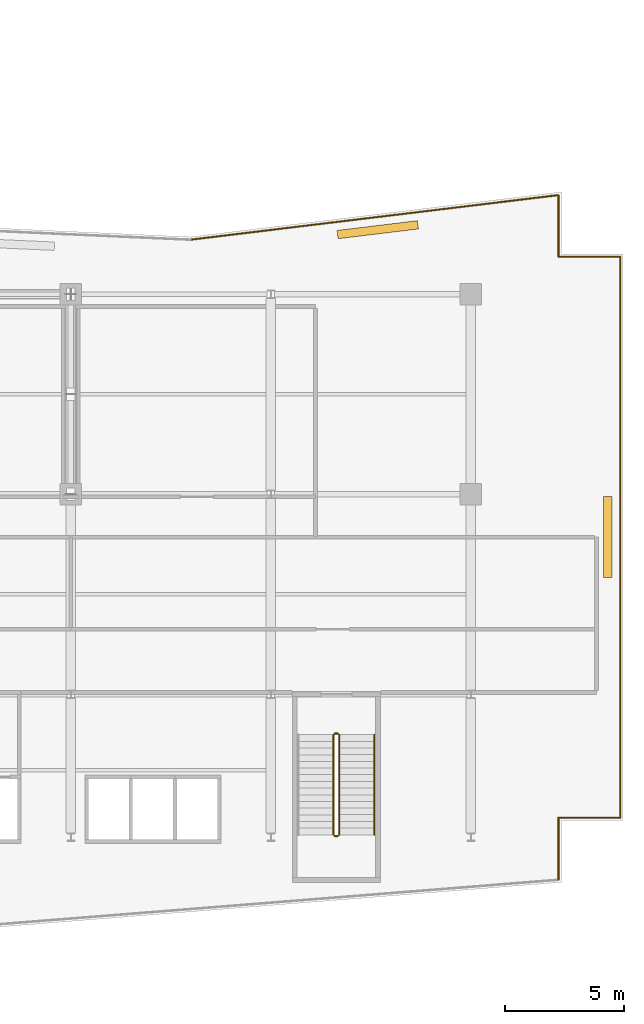
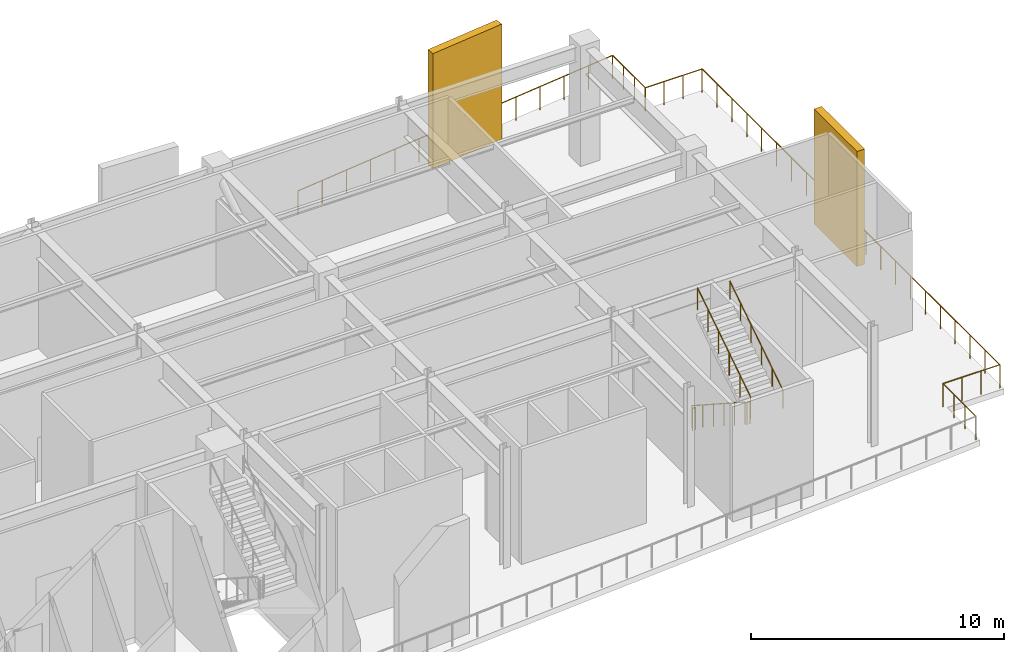
# One storey, part 13 of 14: 11 railings, 2 shading devices.
"""IFC4 building model written with IfcOpenShell, lengths in metres."""

from ifc_helpers import new_model, si_unit, direction, frame, origin, origin_2d, place, context, subcontext, project, spatial, rectangle, circle, extrude, material, layer, layer_set, type_object, element, save


model = new_model("IFC4")

# Units and contexts
model_context = context("Model", 3, precision=1e-05, world=origin(), true_north=direction((0.0, 1.0)))
body_context = subcontext(model_context, "Body", "Model", "MODEL_VIEW")
ifc_project = project(units=[si_unit("LENGTHUNIT", "METRE"), si_unit("AREAUNIT", "SQUARE_METRE"), si_unit("VOLUMEUNIT", "CUBIC_METRE"), si_unit("PLANEANGLEUNIT", "RADIAN"), si_unit("MASSUNIT", "GRAM", prefix="KILO")], contexts=[model_context])

# Site, building, storey
site_placement = place(None, origin())
site = spatial("IfcSite", under=ifc_project, at=site_placement, CompositionType="ELEMENT")
building_placement = place(site_placement, origin())
building = spatial("IfcBuilding", under=site, at=building_placement, Name="Varnakote Quay Hospital", CompositionType="ELEMENT")
storey_placement = place(building_placement, frame((0.0, 0.0, 97.550048828125)))
storey = spatial("IfcBuildingStorey", under=building, at=storey_placement, Name="L24", CompositionType="ELEMENT", Elevation=97.550048828125)

# Railings
ifc_material_1 = material(Name="Anodised aluminium 6063-T6 Bronze", Category="aluminium")
railing_type_1 = type_object("IfcRailingType", Name="RLG-EXT-GUARD-1150", PredefinedType="GUARDRAIL", material=ifc_material_1)
railing_1_placement = place(storey_placement, frame((38.628662109375, 31.091796875, 0.0)))
element("IfcRailing", 1, at=railing_1_placement, inside=storey, type_object=railing_type_1, Name="L24 Open Wind-Damping Deck Perimeter Safety Guard", PredefinedType="GUARDRAIL", context=body_context, shape_type="SweptSolid", body=[
    extrude(circle(Radius=0.02392578125, at=origin_2d()), frame((0.0, 0.0, 1.1259765625), z_axis=(0.992734520167, 0.120325277761, 0.0), x_axis=(-0.120325277761, 0.992734520167, 0.0)), (0.0, 0.0, 1.0), 15.564453125),
    extrude(circle(Radius=0.02099609375, at=origin_2d()), origin(), (0.0, 0.0, 1.0), 1.101806640625),
    extrude(circle(Radius=0.02099609375, at=origin_2d()), frame((1.1884765625, 0.14404296875, 0.0)), (0.0, 0.0, 1.0), 1.101806640625),
    extrude(circle(Radius=0.02099609375, at=origin_2d()), frame((2.377197265625, 0.2880859375, 0.0)), (0.0, 0.0, 1.0), 1.101806640625),
    extrude(circle(Radius=0.02099609375, at=origin_2d()), frame((3.565673828125, 0.43212890625, 0.0)), (0.0, 0.0, 1.0), 1.101806640625),
    extrude(circle(Radius=0.02099609375, at=origin_2d()), frame((4.75439453125, 0.576171875, 0.0)), (0.0, 0.0, 1.0), 1.101806640625),
    extrude(circle(Radius=0.02099609375, at=origin_2d()), frame((5.94287109375, 0.72021484375, 0.0)), (0.0, 0.0, 1.0), 1.101806640625),
    extrude(circle(Radius=0.02099609375, at=origin_2d()), frame((7.13134765625, 0.8642578125, 0.0)), (0.0, 0.0, 1.0), 1.101806640625),
    extrude(circle(Radius=0.02099609375, at=origin_2d()), frame((8.320068359375, 1.008544921875, 0.0)), (0.0, 0.0, 1.0), 1.101806640625),
    extrude(circle(Radius=0.02099609375, at=origin_2d()), frame((9.508544921875, 1.152587890625, 0.0)), (0.0, 0.0, 1.0), 1.101806640625),
    extrude(circle(Radius=0.02099609375, at=origin_2d()), frame((10.697021484375, 1.296630859375, 0.0)), (0.0, 0.0, 1.0), 1.101806640625),
    extrude(circle(Radius=0.02099609375, at=origin_2d()), frame((11.8857421875, 1.440673828125, 0.0)), (0.0, 0.0, 1.0), 1.101806640625),
    extrude(circle(Radius=0.02099609375, at=origin_2d()), frame((13.07421875, 1.584716796875, 0.0)), (0.0, 0.0, 1.0), 1.101806640625),
    extrude(circle(Radius=0.02099609375, at=origin_2d()), frame((14.262939453125, 1.728759765625, 0.0)), (0.0, 0.0, 1.0), 1.101806640625),
    extrude(circle(Radius=0.02099609375, at=origin_2d()), frame((15.451416015625, 1.872802734375, 0.0)), (0.0, 0.0, 1.0), 1.101806640625),
])
railing_2_placement = place(storey_placement, frame((54.080078125, 32.964599609375, 0.0)))
element("IfcRailing", 2, at=railing_2_placement, inside=storey, type_object=railing_type_1, Name="L24 Open Wind-Damping Deck Perimeter Safety Guard", PredefinedType="GUARDRAIL", context=body_context, shape_type="SweptSolid", body=[
    extrude(circle(Radius=0.02392578125, at=origin_2d()), frame((0.0, 0.0, 1.1259765625), z_axis=(0.0, -1.0, 0.0), x_axis=(1.0, 0.0, 0.0)), (0.0, 0.0, 1.0), 2.584716796875),
    extrude(circle(Radius=0.02099609375, at=origin_2d()), origin(), (0.0, 0.0, 1.0), 1.101806640625),
    extrude(circle(Radius=0.02099609375, at=origin_2d()), frame((0.0, -0.861572265625, 0.0)), (0.0, 0.0, 1.0), 1.101806640625),
    extrude(circle(Radius=0.02099609375, at=origin_2d()), frame((0.0, -1.72314453125, 0.0)), (0.0, 0.0, 1.0), 1.101806640625),
    extrude(circle(Radius=0.02099609375, at=origin_2d()), frame((0.0, -2.584716796875, 0.0)), (0.0, 0.0, 1.0), 1.101806640625),
])
railing_3_placement = place(storey_placement, frame((54.080078125, 30.3798828125, 0.0)))
element("IfcRailing", 3, at=railing_3_placement, inside=storey, type_object=railing_type_1, Name="L24 Open Wind-Damping Deck Perimeter Safety Guard", PredefinedType="GUARDRAIL", context=body_context, shape_type="SweptSolid", body=[
    extrude(circle(Radius=0.02392578125, at=origin_2d()), frame((0.0, 0.0, 1.1259765625), z_axis=(1.0, 0.0, 0.0), x_axis=(0.0, 1.0, 0.0)), (0.0, 0.0, 1.0), 2.599853515625),
    extrude(circle(Radius=0.02099609375, at=origin_2d()), origin(), (0.0, 0.0, 1.0), 1.101806640625),
    extrude(circle(Radius=0.02099609375, at=origin_2d()), frame((0.86669921875, 0.0, 0.0)), (0.0, 0.0, 1.0), 1.101806640625),
    extrude(circle(Radius=0.02099609375, at=origin_2d()), frame((1.733154296875, 0.0, 0.0)), (0.0, 0.0, 1.0), 1.101806640625),
    extrude(circle(Radius=0.02099609375, at=origin_2d()), frame((2.599853515625, 0.0, 0.0)), (0.0, 0.0, 1.0), 1.101806640625),
])
railing_4_placement = place(storey_placement, frame((56.679931640625, 30.3798828125, 0.0)))
element("IfcRailing", 4, at=railing_4_placement, inside=storey, type_object=railing_type_1, Name="L24 Open Wind-Damping Deck Perimeter Safety Guard", PredefinedType="GUARDRAIL", context=body_context, shape_type="SweptSolid", body=[
    extrude(circle(Radius=0.02392578125, at=origin_2d()), frame((0.0, 0.0, 1.1259765625), z_axis=(0.0, -1.0, 0.0), x_axis=(1.0, 0.0, 0.0)), (0.0, 0.0, 1.0), 23.559814453125),
    extrude(circle(Radius=0.02099609375, at=origin_2d()), origin(), (0.0, 0.0, 1.0), 1.101806640625),
    extrude(circle(Radius=0.02099609375, at=origin_2d()), frame((0.0, -1.177978515625, 0.0)), (0.0, 0.0, 1.0), 1.101806640625),
    extrude(circle(Radius=0.02099609375, at=origin_2d()), frame((0.0, -2.35595703125, 0.0)), (0.0, 0.0, 1.0), 1.101806640625),
    extrude(circle(Radius=0.02099609375, at=origin_2d()), frame((0.0, -3.533935546875, 0.0)), (0.0, 0.0, 1.0), 1.101806640625),
    extrude(circle(Radius=0.02099609375, at=origin_2d()), frame((0.0, -4.7119140625, 0.0)), (0.0, 0.0, 1.0), 1.101806640625),
    extrude(circle(Radius=0.02099609375, at=origin_2d()), frame((0.0, -5.889892578125, 0.0)), (0.0, 0.0, 1.0), 1.101806640625),
    extrude(circle(Radius=0.02099609375, at=origin_2d()), frame((0.0, -7.06787109375, 0.0)), (0.0, 0.0, 1.0), 1.101806640625),
    extrude(circle(Radius=0.02099609375, at=origin_2d()), frame((0.0, -8.245849609375, 0.0)), (0.0, 0.0, 1.0), 1.101806640625),
    extrude(circle(Radius=0.02099609375, at=origin_2d()), frame((0.0, -9.423828125, 0.0)), (0.0, 0.0, 1.0), 1.101806640625),
    extrude(circle(Radius=0.02099609375, at=origin_2d()), frame((0.0, -10.601806640625, 0.0)), (0.0, 0.0, 1.0), 1.101806640625),
    extrude(circle(Radius=0.02099609375, at=origin_2d()), frame((0.0, -11.77978515625, 0.0)), (0.0, 0.0, 1.0), 1.101806640625),
    extrude(circle(Radius=0.02099609375, at=origin_2d()), frame((0.0, -12.9580078125, 0.0)), (0.0, 0.0, 1.0), 1.101806640625),
    extrude(circle(Radius=0.02099609375, at=origin_2d()), frame((0.0, -14.135986328125, 0.0)), (0.0, 0.0, 1.0), 1.101806640625),
    extrude(circle(Radius=0.02099609375, at=origin_2d()), frame((0.0, -15.31396484375, 0.0)), (0.0, 0.0, 1.0), 1.101806640625),
    extrude(circle(Radius=0.02099609375, at=origin_2d()), frame((0.0, -16.491943359375, 0.0)), (0.0, 0.0, 1.0), 1.101806640625),
    extrude(circle(Radius=0.02099609375, at=origin_2d()), frame((0.0, -17.669921875, 0.0)), (0.0, 0.0, 1.0), 1.101806640625),
    extrude(circle(Radius=0.02099609375, at=origin_2d()), frame((0.0, -18.847900390625, 0.0)), (0.0, 0.0, 1.0), 1.101806640625),
    extrude(circle(Radius=0.02099609375, at=origin_2d()), frame((0.0, -20.02587890625, 0.0)), (0.0, 0.0, 1.0), 1.101806640625),
    extrude(circle(Radius=0.02099609375, at=origin_2d()), frame((0.0, -21.203857421875, 0.0)), (0.0, 0.0, 1.0), 1.101806640625),
    extrude(circle(Radius=0.02099609375, at=origin_2d()), frame((0.0, -22.3818359375, 0.0)), (0.0, 0.0, 1.0), 1.101806640625),
    extrude(circle(Radius=0.02099609375, at=origin_2d()), frame((0.0, -23.559814453125, 0.0)), (0.0, 0.0, 1.0), 1.101806640625),
])
railing_5_placement = place(storey_placement, frame((56.679931640625, 6.820068359375, 0.0)))
element("IfcRailing", 5, at=railing_5_placement, inside=storey, type_object=railing_type_1, Name="L24 Open Wind-Damping Deck Perimeter Safety Guard", PredefinedType="GUARDRAIL", context=body_context, shape_type="SweptSolid", body=[
    extrude(circle(Radius=0.02392578125, at=origin_2d()), frame((0.0, 0.0, 1.1259765625), z_axis=(-1.0, 0.0, 0.0), x_axis=(0.0, -1.0, 0.0)), (0.0, 0.0, 1.0), 2.599853515625),
    extrude(circle(Radius=0.02099609375, at=origin_2d()), origin(), (0.0, 0.0, 1.0), 1.101806640625),
    extrude(circle(Radius=0.02099609375, at=origin_2d()), frame((-0.86669921875, 0.0, 0.0)), (0.0, 0.0, 1.0), 1.101806640625),
    extrude(circle(Radius=0.02099609375, at=origin_2d()), frame((-1.733154296875, 0.0, 0.0)), (0.0, 0.0, 1.0), 1.101806640625),
    extrude(circle(Radius=0.02099609375, at=origin_2d()), frame((-2.599853515625, 0.0, 0.0)), (0.0, 0.0, 1.0), 1.101806640625),
])
railing_6_placement = place(storey_placement, frame((54.080078125, 6.820068359375, 0.0)))
element("IfcRailing", 6, at=railing_6_placement, inside=storey, type_object=railing_type_1, Name="L24 Open Wind-Damping Deck Perimeter Safety Guard", PredefinedType="GUARDRAIL", context=body_context, shape_type="SweptSolid", body=[
    extrude(circle(Radius=0.02392578125, at=origin_2d()), frame((0.0, 0.0, 1.1259765625), z_axis=(0.0, -1.0, 0.0), x_axis=(1.0, 0.0, 0.0)), (0.0, 0.0, 1.0), 2.609375),
    extrude(circle(Radius=0.02099609375, at=origin_2d()), origin(), (0.0, 0.0, 1.0), 1.101806640625),
    extrude(circle(Radius=0.02099609375, at=origin_2d()), frame((0.0, -0.869873046875, 0.0)), (0.0, 0.0, 1.0), 1.101806640625),
    extrude(circle(Radius=0.02099609375, at=origin_2d()), frame((0.0, -1.739501953125, 0.0)), (0.0, 0.0, 1.0), 1.101806640625),
    extrude(circle(Radius=0.02099609375, at=origin_2d()), frame((0.0, -2.609375, 0.0)), (0.0, 0.0, 1.0), 1.101806640625),
])
ifc_material_2 = material(Name="Brushed stainless steel balustrade", Category="steel")
railing_type_2 = type_object("IfcRailingType", Name="RLG-STAIR-GUARD-1150", PredefinedType="GUARDRAIL", material=ifc_material_2)
railing_7_placement = place(storey_placement, frame((44.6298828125, 10.300048828125, 0.18115234375)))
element("IfcRailing", 7, at=railing_7_placement, inside=storey, type_object=railing_type_2, Name="L24 ST-03 stair guard 1", PredefinedType="GUARDRAIL", context=body_context, shape_type="SweptSolid", body=[
    extrude(circle(Radius=0.02392578125, at=origin_2d()), frame((0.0, 0.0, 1.076171875), z_axis=(0.0, -0.839466714631, 0.543411110511), x_axis=(1.0, 0.0, 0.0)), (0.0, 0.0, 1.0), 5.003173828125),
    extrude(circle(Radius=0.02099609375, at=origin_2d()), origin(), (0.0, 0.0, 1.0), 1.052001953125),
    extrude(circle(Radius=0.02099609375, at=origin_2d()), frame((0.0, -0.840087890625, 0.543701171875)), (0.0, 0.0, 1.0), 1.052001953125),
    extrude(circle(Radius=0.02099609375, at=origin_2d()), frame((0.0, -1.679931640625, 1.08740234375)), (0.0, 0.0, 1.0), 1.052001953125),
    extrude(circle(Radius=0.02099609375, at=origin_2d()), frame((0.0, -2.52001953125, 1.63134765625)), (0.0, 0.0, 1.0), 1.052001953125),
    extrude(circle(Radius=0.02099609375, at=origin_2d()), frame((0.0, -3.35986328125, 2.175048828125)), (0.0, 0.0, 1.0), 1.052001953125),
    extrude(circle(Radius=0.02099609375, at=origin_2d()), frame((0.0, -4.199951171875, 2.71875)), (0.0, 0.0, 1.0), 1.052001953125),
])
railing_8_placement = place(storey_placement, frame((44.679931640625, 6.050048828125, 2.89990234375)))
element("IfcRailing", 8, at=railing_8_placement, inside=storey, type_object=railing_type_2, Name="L24 ST-03 stair guard 2", PredefinedType="GUARDRAIL", context=body_context, shape_type="SweptSolid", body=[
    extrude(circle(Radius=0.02392578125, at=origin_2d()), frame((0.0, 0.0, 1.076171875), z_axis=(1.0, 0.0, 0.0), x_axis=(0.0, 1.0, 0.0)), (0.0, 0.0, 1.0), 0.14013671875),
    extrude(circle(Radius=0.02099609375, at=origin_2d()), origin(), (0.0, 0.0, 1.0), 1.052001953125),
    extrude(circle(Radius=0.02099609375, at=origin_2d()), frame((0.14013671875, 0.0, 0.0)), (0.0, 0.0, 1.0), 1.052001953125),
])
railing_9_placement = place(storey_placement, frame((44.8701171875, 6.10009765625, 3.081298828125)))
element("IfcRailing", 9, at=railing_9_placement, inside=storey, type_object=railing_type_2, Name="L24 ST-03 stair guard 3", PredefinedType="GUARDRAIL", context=body_context, shape_type="SweptSolid", body=[
    extrude(circle(Radius=0.02392578125, at=origin_2d()), frame((0.0, 0.0, 1.076171875), z_axis=(0.0, 0.839466714631, 0.543411110511), x_axis=(-1.0, 0.0, 0.0)), (0.0, 0.0, 1.0), 5.003173828125),
    extrude(circle(Radius=0.02099609375, at=origin_2d()), origin(), (0.0, 0.0, 1.0), 1.052001953125),
    extrude(circle(Radius=0.02099609375, at=origin_2d()), frame((0.0, 0.840087890625, 0.543701171875)), (0.0, 0.0, 1.0), 1.052001953125),
    extrude(circle(Radius=0.02099609375, at=origin_2d()), frame((0.0, 1.679931640625, 1.08740234375)), (0.0, 0.0, 1.0), 1.052001953125),
    extrude(circle(Radius=0.02099609375, at=origin_2d()), frame((0.0, 2.52001953125, 1.63134765625)), (0.0, 0.0, 1.0), 1.052001953125),
    extrude(circle(Radius=0.02099609375, at=origin_2d()), frame((0.0, 3.35986328125, 2.175048828125)), (0.0, 0.0, 1.0), 1.052001953125),
    extrude(circle(Radius=0.02099609375, at=origin_2d()), frame((0.0, 4.199951171875, 2.71875)), (0.0, 0.0, 1.0), 1.052001953125),
])
railing_10_placement = place(storey_placement, frame((44.679931640625, 10.35009765625, 0.0)))
element("IfcRailing", 10, at=railing_10_placement, inside=storey, type_object=railing_type_2, Name="L24 ST-03 stair guard 4", PredefinedType="GUARDRAIL", context=body_context, shape_type="SweptSolid", body=[
    extrude(circle(Radius=0.02392578125, at=origin_2d()), frame((0.0, 0.0, 1.076171875), z_axis=(1.0, 0.0, 0.0), x_axis=(0.0, 1.0, 0.0)), (0.0, 0.0, 1.0), 0.14013671875),
    extrude(circle(Radius=0.02099609375, at=origin_2d()), origin(), (0.0, 0.0, 1.0), 1.052001953125),
    extrude(circle(Radius=0.02099609375, at=origin_2d()), frame((0.14013671875, 0.0, 0.0)), (0.0, 0.0, 1.0), 1.052001953125),
])
ifc_material_3 = material(Name="Brushed stainless steel handrail", Category="steel")
railing_type_3 = type_object("IfcRailingType", Name="RLG-STAIR-HND-920", PredefinedType="HANDRAIL", material=ifc_material_3)
railing_11_placement = place(storey_placement, frame((46.35009765625, 6.10009765625, 3.081298828125)))
element("IfcRailing", 11, at=railing_11_placement, inside=storey, type_object=railing_type_3, Name="L24 ST-03 stair handrail 2", PredefinedType="HANDRAIL", context=body_context, shape_type="SweptSolid", body=[
    extrude(circle(Radius=0.02392578125, at=origin_2d()), frame((0.0, 0.0, 0.8759765625), z_axis=(0.0, 0.839466714631, 0.543411110511), x_axis=(-1.0, 0.0, 0.0)), (0.0, 0.0, 1.0), 5.003173828125),
    extrude(circle(Radius=0.02099609375, at=origin_2d()), origin(), (0.0, 0.0, 1.0), 0.851806640625),
    extrude(circle(Radius=0.02099609375, at=origin_2d()), frame((0.0, 0.840087890625, 0.543701171875)), (0.0, 0.0, 1.0), 0.851806640625),
    extrude(circle(Radius=0.02099609375, at=origin_2d()), frame((0.0, 1.679931640625, 1.08740234375)), (0.0, 0.0, 1.0), 0.851806640625),
    extrude(circle(Radius=0.02099609375, at=origin_2d()), frame((0.0, 2.52001953125, 1.63134765625)), (0.0, 0.0, 1.0), 0.851806640625),
    extrude(circle(Radius=0.02099609375, at=origin_2d()), frame((0.0, 3.35986328125, 2.175048828125)), (0.0, 0.0, 1.0), 0.851806640625),
    extrude(circle(Radius=0.02099609375, at=origin_2d()), frame((0.0, 4.199951171875, 2.71875)), (0.0, 0.0, 1.0), 0.851806640625),
])

# Shading devices
ifc_material_4 = material(Name="Precast concrete N50 (f'c 50 MPa)", Category="concrete")
ifc_layer = layer(ifc_material_4, 0.35009765625)
ifc_layer_set = layer_set([ifc_layer], Name="Precast concrete N50 (f'c 50 MPa)")
shading_device_type = type_object("IfcShadingDeviceType", Name="SHD-BRICK-OCULUS-350", PredefinedType="USERDEFINED", material=ifc_layer_set)
for number, where, z_axis, x_axis, name in (
    (12, (56.14990234375, 18.60009765625, 0.0), (0.0, 0.0, 1.0), (0.0, 1.0, 0.0), "L24 Brick Oculus Wind Screen"),
    (13, (46.490234375, 31.5107421875, 0.0), (0.0, 0.0, 1.0), (-0.992736358975, -0.120310105847, 0.0), "L24 Brick Oculus Wind Screen"),
):
    element("IfcShadingDevice", number, at=place(storey_placement, frame(where, z_axis=z_axis, x_axis=x_axis)), inside=storey, type_object=shading_device_type, Name=name, ObjectType="OCULUS", PredefinedType="USERDEFINED", context=body_context, shape_type="SweptSolid", body=[
        extrude(rectangle(XDim=3.39990234375, YDim=0.35009765625, at=origin_2d()), origin(), (0.0, 0.0, 1.0), 5.56005859375),
    ])

save(model, "model.ifc")
